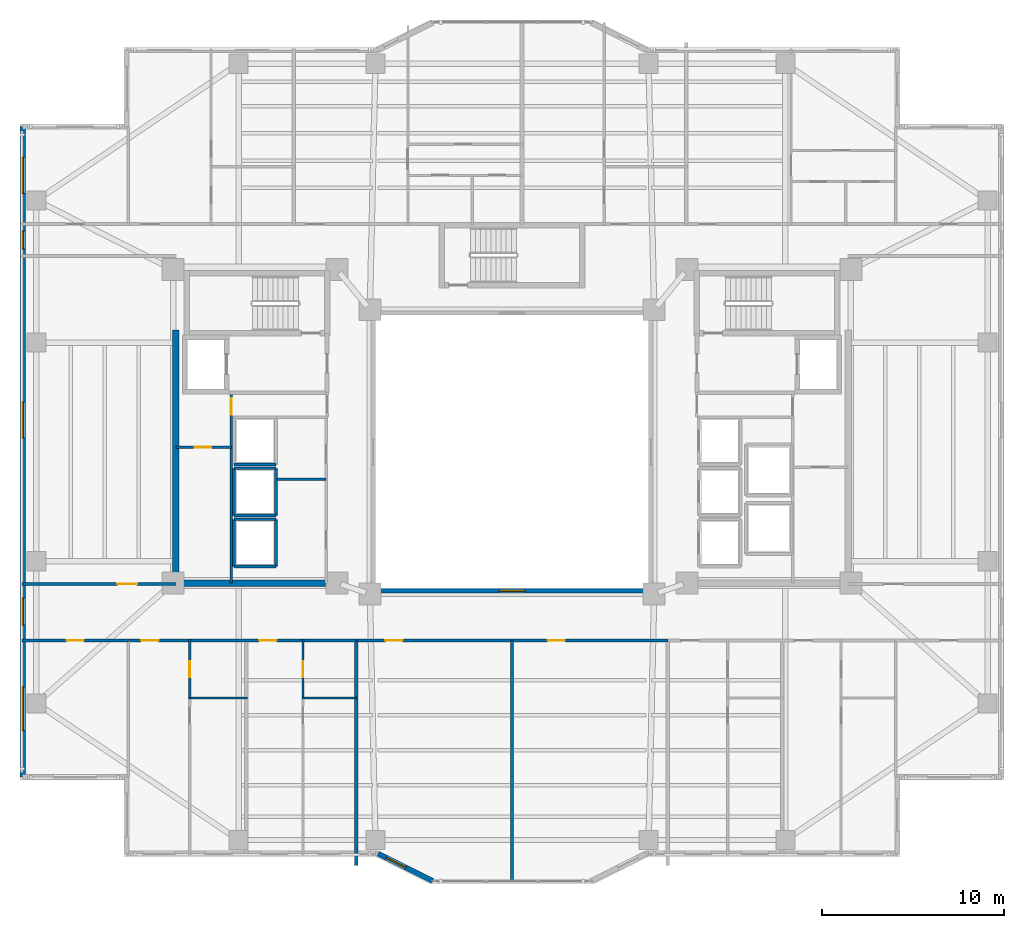
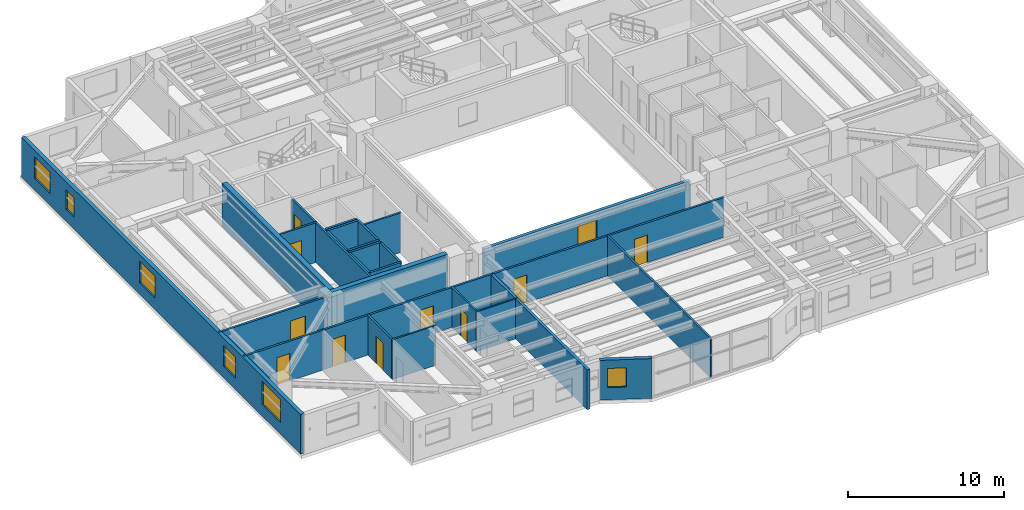
# One storey, part 6 of 18: 27 walls, 10 doors, 7 windows, 17 openings.
"""IFC4 building model written with IfcOpenShell, lengths in metres."""

import ifcopenshell
import ifcopenshell.guid

model = None  # the IFC model being written
_history = None  # IfcOwnerHistory: only IFC2X3 demands one
_inside = {}  # id of a spatial element -> (the spatial element, [elements in it])
_under = {}  # id of a project, library or spatial element -> (it, [spatial elements below it])
_declared = {}  # id of a project -> (the project, [libraries it declares])
_typed = {}  # id of a type object -> (the type object, [elements of that type])
_made_of = {}  # id of a material, layer set ... -> (it, [elements and type objects made of it])


def new_model(schema):
    """Start an empty IFC model of exactly this schema.

    Asked for "IFC4X3", IfcOpenShell would pick the latest addendum, in which some entities
    have other attributes; the version numbers below select the first issue.
    IFC2X3 requires an IfcOwnerHistory on every rooted entity: one is made here for all.
    """
    global model, _history
    if schema == "IFC4X3":
        model = ifcopenshell.file(schema_version=(4, 3, 0, 0))
    else:
        model = ifcopenshell.file(schema=schema)
    _inside.clear()
    _under.clear()
    _declared.clear()
    _typed.clear()
    _made_of.clear()
    _history = None
    if model.schema == "IFC2X3":
        org = make("IfcOrganization", Name="unknown")
        user = make(
            "IfcPersonAndOrganization",
            ThePerson=make("IfcPerson", FamilyName="unknown"),
            TheOrganization=org,
        )
        app = make(
            "IfcApplication",
            ApplicationDeveloper=org,
            Version="unknown",
            ApplicationFullName="unknown",
            ApplicationIdentifier="unknown",
        )
        _history = make(
            "IfcOwnerHistory",
            OwningUser=user,
            OwningApplication=app,
            ChangeAction="ADDED",
            CreationDate=0,
        )
    return model


def make(cls, **values):
    """One entity of the class cls with the attributes given. An attribute that is None is left unset."""
    return model.create_entity(
        cls, **{name: value for name, value in values.items() if value is not None}
    )


def rooted(cls, **values):
    """An entity with a GlobalId (a new one), such as an element, a storey or a relation."""
    return make(cls, GlobalId=ifcopenshell.guid.new(), OwnerHistory=_history, **values)


def si_unit(unit_type, name, prefix=None):
    """IfcSIUnit, for example si_unit("LENGTHUNIT", "METRE", prefix="MILLI")."""
    return make("IfcSIUnit", UnitType=unit_type, Prefix=prefix, Name=name)


def assignment(units):
    """IfcUnitAssignment: the units of a project."""
    return None if units is None else make("IfcUnitAssignment", Units=units)


def point(xyz):
    """IfcCartesianPoint."""
    return None if xyz is None else make("IfcCartesianPoint", Coordinates=xyz)


def direction(xyz):
    """IfcDirection."""
    return None if xyz is None else make("IfcDirection", DirectionRatios=xyz)


def frame(location, z_axis=None, x_axis=None):
    """IfcAxis2Placement3D, a coordinate frame: its origin and axes. An axis left out is left unset."""
    return make(
        "IfcAxis2Placement3D",
        Location=point(location),
        Axis=direction(z_axis),
        RefDirection=direction(x_axis),
    )


def frame_2d(location, x_axis=None):
    """IfcAxis2Placement2D, a coordinate frame in the plane: its origin and x axis."""
    return make(
        "IfcAxis2Placement2D", Location=point(location), RefDirection=direction(x_axis)
    )


def origin():
    """The frame at (0, 0, 0) with its axes left unset."""
    return frame((0.0, 0.0, 0.0))


def place(relative_to, where):
    """IfcLocalPlacement: puts the frame where relative to a parent placement (None: the world)."""
    return make(
        "IfcLocalPlacement", PlacementRelTo=relative_to, RelativePlacement=where
    )


def context(
    kind, dimensions, precision=None, world=None, true_north=None, identifier=None
):
    """IfcGeometricRepresentationContext, for example the 3D "Model" context."""
    return make(
        "IfcGeometricRepresentationContext",
        ContextIdentifier=identifier,
        ContextType=kind,
        CoordinateSpaceDimension=dimensions,
        Precision=precision,
        WorldCoordinateSystem=world,
        TrueNorth=true_north,
    )


def subcontext(parent, identifier, kind, view, scale=None):
    """IfcGeometricRepresentationSubContext, for example "Body" below "Model"."""
    return make(
        "IfcGeometricRepresentationSubContext",
        ContextIdentifier=identifier,
        ContextType=kind,
        ParentContext=parent,
        TargetScale=scale,
        TargetView=view,
    )


def project(units=None, contexts=None):
    """IfcProject with its units and contexts."""
    return rooted(
        "IfcProject",
        Name="project",
        RepresentationContexts=contexts,
        UnitsInContext=assignment(units),
    )


def spatial(cls, under=None, at=None, **own):
    """A site, building, storey or space (cls), placed at a placement, below another one or the project."""
    s = rooted(cls, ObjectPlacement=at, **own)
    if under is not None:
        _under.setdefault(under.id(), (under, []))[1].append(s)
    return s


def profile(cls, at=None, kind="AREA", **sizes):
    """A parametric profile (cls). Its sizes go by their IFC names, for example OverallWidth=200.0."""
    return make(cls, ProfileType=kind, Position=at, **sizes)


def rectangle(**sizes):
    """IfcRectangleProfileDef."""
    return profile("IfcRectangleProfileDef", **sizes)


def extrude(swept, where, along, depth):
    """IfcExtrudedAreaSolid: the profile swept, set in the frame where, extruded along a direction by depth."""
    return make(
        "IfcExtrudedAreaSolid",
        SweptArea=swept,
        Position=where,
        ExtrudedDirection=direction(along),
        Depth=depth,
    )


def shape(context_of_items, identifier, shape_type, items):
    """IfcShapeRepresentation: the items that make up one representation, for example the "Body"."""
    return make(
        "IfcShapeRepresentation",
        ContextOfItems=context_of_items,
        RepresentationIdentifier=identifier,
        RepresentationType=shape_type,
        Items=items,
    )


def material(Name=None, Category=None):
    """IfcMaterial."""
    return make("IfcMaterial", Name=Name, Category=Category)


def layer(
    of_material, thickness, ventilated=None, Name=None, Category=None, Priority=None
):
    """IfcMaterialLayer: one layer of a wall or slab, of a material (None: an air gap)."""
    return make(
        "IfcMaterialLayer",
        Material=of_material,
        LayerThickness=thickness,
        IsVentilated=ventilated,
        Name=Name,
        Category=Category,
        Priority=Priority,
    )


def layer_set(layers, Name=None):
    """IfcMaterialLayerSet."""
    return make("IfcMaterialLayerSet", MaterialLayers=layers, LayerSetName=Name)


def made_of(thing, what):
    """Note that an element or type object is made of a material, layer set ...; save() writes the relation."""
    if what is not None:
        _made_of.setdefault(what.id(), (what, []))[1].append(thing)
    return thing


def type_object(cls, material=None, **own):
    """A type object (cls), such as IfcWallType, which elements share."""
    return made_of(rooted(cls, **own), material)


def element(
    cls,
    number,
    at=None,
    inside=None,
    cuts=None,
    type_object=None,
    material=None,
    context=None,
    identifier="Body",
    shape_type=None,
    held_by="IfcProductDefinitionShape",
    body=None,
    shapes=None,
    **own,
):
    """One element of the class cls, such as IfcWall. Its Tag is "e" and its number.

    at: its placement. inside: the storey or other place that contains it. cuts: it is an
    opening in that element (IfcRelVoidsElement). A single representation is given by context,
    identifier, shape_type and body (its items); several are given by shapes. held_by: the class
    of the entity that holds the representations. save() writes the other relations.
    """
    e = rooted(cls, Tag="e%d" % number, ObjectPlacement=at, **own)
    if body is not None:
        shapes = [shape(context, identifier, shape_type, body)]
    if shapes is not None:
        e.Representation = make(held_by, Representations=shapes)
    if inside is not None:
        _inside.setdefault(inside.id(), (inside, []))[1].append(e)
    if cuts is not None:
        rooted(
            "IfcRelVoidsElement", RelatingBuildingElement=cuts, RelatedOpeningElement=e
        )
    if type_object is not None:
        _typed.setdefault(type_object.id(), (type_object, []))[1].append(e)
    return made_of(e, material)


def fill(opening, filler):
    """IfcRelFillsElement: the door or window that sits in an opening."""
    return rooted(
        "IfcRelFillsElement",
        RelatingOpeningElement=opening,
        RelatedBuildingElement=filler,
    )


def aggregate(whole, parts):
    """IfcRelAggregates: a whole, such as a stair, and the parts it consists of."""
    return rooted("IfcRelAggregates", RelatingObject=whole, RelatedObjects=parts)


def save(model, path):
    """Write the relations noted so far, then the file.

    IfcRelAggregates (storeys below a building ...), IfcRelContainedInSpatialStructure (elements
    in a storey), IfcRelDefinesByType, IfcRelAssociatesMaterial and IfcRelDeclares: one each for
    every whole, place, type object, material and project.
    """
    for whole, parts in _under.values():
        aggregate(whole, parts)
    for where, things in _inside.values():
        rooted(
            "IfcRelContainedInSpatialStructure",
            RelatedElements=things,
            RelatingStructure=where,
        )
    for kind, things in _typed.values():
        rooted("IfcRelDefinesByType", RelatedObjects=things, RelatingType=kind)
    for what, things in _made_of.values():
        rooted("IfcRelAssociatesMaterial", RelatedObjects=things, RelatingMaterial=what)
    for by, libraries in _declared.values():
        rooted("IfcRelDeclares", RelatingContext=by, RelatedDefinitions=libraries)
    model.write(path)


model = new_model("IFC4")

# Units and contexts
model_context = context("Model", 3, precision=1e-05, world=origin(), true_north=direction((0.0, 1.0)))
body_context = subcontext(model_context, "Body", "Model", "MODEL_VIEW")
ifc_project = project(units=[si_unit("LENGTHUNIT", "METRE"), si_unit("AREAUNIT", "SQUARE_METRE"), si_unit("VOLUMEUNIT", "CUBIC_METRE"), si_unit("PLANEANGLEUNIT", "RADIAN"), si_unit("MASSUNIT", "GRAM", prefix="KILO")], contexts=[model_context])

# Site, building, storey
site_placement = place(None, origin())
site = spatial("IfcSite", under=ifc_project, at=site_placement, CompositionType="ELEMENT")
building_placement = place(site_placement, origin())
building = spatial("IfcBuilding", under=site, at=building_placement, Name="Tarnavaz Court Tower", CompositionType="ELEMENT")
storey_placement = place(building_placement, frame((0.0, 0.0, 98.39990234375)))
storey = spatial("IfcBuildingStorey", under=building, at=storey_placement, Name="L26", CompositionType="ELEMENT", Elevation=98.39990234375)

# Walls
ifc_material_1 = material(Name="Concrete C60/75", Category="concrete")
ifc_layer_1 = layer(ifc_material_1, 0.35009765625)
ifc_layer_set_1 = layer_set([ifc_layer_1], Name="Concrete C60/75")
wall_type_1 = type_object("IfcWallType", Name="WL-CORE-350-C60", PredefinedType="SHEAR", material=ifc_layer_set_1)
wall_1_placement = place(storey_placement, frame((-18.449951171875, -7.375, 0.0), z_axis=(0.0, 0.0, 1.0), x_axis=(0.0, 1.0, 0.0)))
element("IfcWall", 1, at=wall_1_placement, inside=storey, type_object=wall_type_1, Name="L26 West Core Shear Wall 057", PredefinedType="SHEAR", context=body_context, shape_type="SweptSolid", body=[
    extrude(rectangle(XDim=14.050048828125, YDim=0.35009765625, at=frame_2d((7.02490234375, 0.0))), origin(), (0.0, 0.0, 1.0), 3.35009765625),
])
wall_2_placement = place(storey_placement, frame((-18.625, -7.199951171875, 0.0), z_axis=(0.0, 0.0, 1.0), x_axis=(1.0, 0.0, 0.0)))
element("IfcWall", 2, at=wall_2_placement, inside=storey, type_object=wall_type_1, Name="L26 West Core South Shear Wall 058", PredefinedType="SHEAR", context=body_context, shape_type="SweptSolid", body=[
    extrude(rectangle(XDim=8.550048828125, YDim=0.35009765625, at=frame_2d((4.27490234375, 0.0))), origin(), (0.0, 0.0, 1.0), 3.35009765625),
])

# Wall, openings, windows
ifc_material_2 = material(Name="Precast Concrete C40/50", Category="concrete")
ifc_layer_2 = layer(ifc_material_2, 0.280029296875)
ifc_layer_set_2 = layer_set([ifc_layer_2], Name="Precast Concrete C40/50")
wall_type_2 = type_object("IfcWallType", Name="WL-EXT-280", PredefinedType="SOLIDWALL", material=ifc_layer_set_2)
wall_3_placement = place(storey_placement, frame((-26.85009765625, -17.85009765625, 0.0), z_axis=(0.0, 0.0, 1.0), x_axis=(0.0, 1.0, 0.0)))
wall_3 = element("IfcWall", 3, at=wall_3_placement, inside=storey, type_object=wall_type_2, Name="L26 Exterior Terracotta Facade Wall 02", PredefinedType="SOLIDWALL", context=body_context, shape_type="SweptSolid", body=[
    extrude(rectangle(XDim=35.7001953125, YDim=0.280029296875, at=frame_2d((17.85009765625, 0.0))), origin(), (0.0, 0.0, 1.0), 3.10009765625),
])
opening_1_placement = place(wall_3_placement, frame((2.550048828125, 0.0, 0.89990234375)))
opening_1 = element("IfcOpeningElement", 4, at=opening_1_placement, cuts=wall_3, Name="Opening W06", PredefinedType="OPENING", context=body_context, shape_type="SweptSolid", body=[
    extrude(rectangle(XDim=2.39990234375, YDim=1.800048828125, at=frame_2d((1.199951171875, 0.89990234375))), frame((0.0, 0.14990234375, 0.0), z_axis=(0.0, -1.0, 0.0), x_axis=(1.0, 0.0, 0.0)), (0.0, 0.0, 1.0), 0.300048828125),
])
opening_2_placement = place(wall_3_placement, frame((8.342529296875, 0.0, 0.89990234375)))
opening_2 = element("IfcOpeningElement", 5, at=opening_2_placement, cuts=wall_3, Name="Opening W03", PredefinedType="OPENING", context=body_context, shape_type="SweptSolid", body=[
    extrude(rectangle(XDim=1.5, YDim=1.64990234375, at=frame_2d((0.75, 0.824951171875))), frame((0.0, 0.14990234375, 0.0), z_axis=(0.0, -1.0, 0.0), x_axis=(1.0, 0.0, 0.0)), (0.0, 0.0, 1.0), 0.300048828125),
])
opening_3_placement = place(wall_3_placement, frame((18.60009765625, 0.0, 0.89990234375)))
opening_3 = element("IfcOpeningElement", 6, at=opening_3_placement, cuts=wall_3, Name="Opening W08", PredefinedType="OPENING", context=body_context, shape_type="SweptSolid", body=[
    extrude(rectangle(XDim=2.0, YDim=1.699951171875, at=frame_2d((1.0, 0.85009765625))), frame((0.0, 0.14990234375, 0.0), z_axis=(0.0, -1.0, 0.0), x_axis=(1.0, 0.0, 0.0)), (0.0, 0.0, 1.0), 0.300048828125),
])
opening_4_placement = place(wall_3_placement, frame((28.97509765625, 0.0, 0.949951171875)))
opening_4 = element("IfcOpeningElement", 7, at=opening_4_placement, cuts=wall_3, Name="Opening W14", PredefinedType="OPENING", context=body_context, shape_type="SweptSolid", body=[
    extrude(rectangle(XDim=1.0, YDim=1.5, at=frame_2d((0.5, 0.75))), frame((0.0, 0.14990234375, 0.0), z_axis=(0.0, -1.0, 0.0), x_axis=(1.0, 0.0, 0.0)), (0.0, 0.0, 1.0), 0.300048828125),
])
opening_5_placement = place(wall_3_placement, frame((32.02490234375, 0.0, 0.89990234375)))
opening_5 = element("IfcOpeningElement", 8, at=opening_5_placement, cuts=wall_3, Name="Opening W08", PredefinedType="OPENING", context=body_context, shape_type="SweptSolid", body=[
    extrude(rectangle(XDim=2.0, YDim=1.699951171875, at=frame_2d((1.0, 0.85009765625))), frame((0.0, 0.14990234375, 0.0), z_axis=(0.0, -1.0, 0.0), x_axis=(1.0, 0.0, 0.0)), (0.0, 0.0, 1.0), 0.300048828125),
])
ifc_material_3 = material(Name="Double-Glazed Solar Low-E Glass", Category="glass")
window_type_1 = type_object("IfcWindowType", Name="WN-APT-1000", PartitioningType="SINGLE_PANEL", PredefinedType="WINDOW", material=ifc_material_3)
window_1_placement = place(opening_4_placement, origin())
window_1 = element("IfcWindow", 9, at=window_1_placement, inside=storey, type_object=window_type_1, Name="L26 North-West Corner Corridor Window", OverallHeight=1.5, OverallWidth=1.0, PartitioningType="SINGLE_PANEL", PredefinedType="WINDOW", context=body_context, shape_type="SweptSolid", body=[
    extrude(rectangle(XDim=1.0, YDim=1.5, at=frame_2d((0.5, 0.75))), frame((0.0, 0.030029296875, 0.0), z_axis=(0.0, -1.0, 0.0), x_axis=(1.0, 0.0, 0.0)), (0.0, 0.0, 1.0), 0.06005859375),
])
fill(opening_4, window_1)
window_type_2 = type_object("IfcWindowType", Name="WN-APT-1500", PartitioningType="DOUBLE_PANEL_VERTICAL", PredefinedType="WINDOW", material=ifc_material_3)
window_2_placement = place(opening_2_placement, origin())
window_2 = element("IfcWindow", 10, at=window_2_placement, inside=storey, type_object=window_type_2, Name="L26 South-West Corner Corridor Window", OverallHeight=1.64990234375, OverallWidth=1.5, PartitioningType="SINGLE_PANEL", PredefinedType="WINDOW", context=body_context, shape_type="SweptSolid", body=[
    extrude(rectangle(XDim=1.5, YDim=1.64990234375, at=frame_2d((0.75, 0.824951171875))), frame((0.0, 0.030029296875, 0.0), z_axis=(0.0, -1.0, 0.0), x_axis=(1.0, 0.0, 0.0)), (0.0, 0.0, 1.0), 0.06005859375),
])
fill(opening_2, window_2)
window_type_3 = type_object("IfcWindowType", Name="WN-APT-2000", PartitioningType="DOUBLE_PANEL_VERTICAL", PredefinedType="WINDOW", material=ifc_material_3)
window_3_placement = place(opening_3_placement, origin())
window_3 = element("IfcWindow", 11, at=window_3_placement, inside=storey, type_object=window_type_3, Name="L26 West Wing Community Meeting Lounge Window", OverallHeight=1.699951171875, OverallWidth=2.0, PartitioningType="SINGLE_PANEL", PredefinedType="WINDOW", context=body_context, shape_type="SweptSolid", body=[
    extrude(rectangle(XDim=2.0, YDim=1.699951171875, at=frame_2d((1.0, 0.85009765625))), frame((0.0, 0.030029296875, 0.0), z_axis=(0.0, -1.0, 0.0), x_axis=(1.0, 0.0, 0.0)), (0.0, 0.0, 1.0), 0.06005859375),
])
fill(opening_3, window_3)
window_4_placement = place(opening_5_placement, origin())
window_4 = element("IfcWindow", 12, at=window_4_placement, inside=storey, type_object=window_type_3, Name="L26 North-West Corner Sunroom Study Window", OverallHeight=1.699951171875, OverallWidth=2.0, PartitioningType="SINGLE_PANEL", PredefinedType="WINDOW", context=body_context, shape_type="SweptSolid", body=[
    extrude(rectangle(XDim=2.0, YDim=1.699951171875, at=frame_2d((1.0, 0.85009765625))), frame((0.0, 0.030029296875, 0.0), z_axis=(0.0, -1.0, 0.0), x_axis=(1.0, 0.0, 0.0)), (0.0, 0.0, 1.0), 0.06005859375),
])
fill(opening_5, window_4)
window_type_4 = type_object("IfcWindowType", Name="WN-APT-2400", PartitioningType="TRIPLE_PANEL_VERTICAL", PredefinedType="WINDOW", material=ifc_material_3)
window_5_placement = place(opening_1_placement, origin())
window_5 = element("IfcWindow", 13, at=window_5_placement, inside=storey, type_object=window_type_4, Name="L26 South-West Corner Reading Room Window", OverallHeight=1.800048828125, OverallWidth=2.39990234375, PartitioningType="SINGLE_PANEL", PredefinedType="WINDOW", context=body_context, shape_type="SweptSolid", body=[
    extrude(rectangle(XDim=2.39990234375, YDim=1.800048828125, at=frame_2d((1.199951171875, 0.89990234375))), frame((0.0, 0.030029296875, 0.0), z_axis=(0.0, -1.0, 0.0), x_axis=(1.0, 0.0, 0.0)), (0.0, 0.0, 1.0), 0.06005859375),
])
fill(opening_1, window_5)

# Wall, opening, window
wall_4_placement = place(storey_placement, frame((-4.35009765625, -23.550048828125, 0.0), z_axis=(0.0, 0.0, 1.0), x_axis=(-0.894427191, 0.4472135955, 0.0)))
wall_4 = element("IfcWall", 14, at=wall_4_placement, inside=storey, type_object=wall_type_2, Name="L26 Exterior Terracotta Facade Wall 18", PredefinedType="SOLIDWALL", context=body_context, shape_type="SweptSolid", body=[
    extrude(rectangle(XDim=3.35400390625, YDim=0.280029296875, at=frame_2d((1.677001953125, 0.0))), origin(), (0.0, 0.0, 1.0), 3.10009765625),
])
opening_6_placement = place(wall_4_placement, frame((1.65283203125, 0.0, 0.949951171875)))
opening_6 = element("IfcOpeningElement", 15, at=opening_6_placement, cuts=wall_4, Name="Opening W05", PredefinedType="OPENING", context=body_context, shape_type="SweptSolid", body=[
    extrude(rectangle(XDim=1.199951171875, YDim=1.5, at=frame_2d((0.60009765625, 0.75))), frame((0.0, 0.14990234375, 0.0), z_axis=(0.0, -1.0, 0.0), x_axis=(1.0, 0.0, 0.0)), (0.0, 0.0, 1.0), 0.300048828125),
])
window_type_5 = type_object("IfcWindowType", Name="WN-APT-1200", PartitioningType="SINGLE_PANEL", PredefinedType="WINDOW", material=ifc_material_3)
window_6_placement = place(opening_6_placement, origin())
window_6 = element("IfcWindow", 16, at=window_6_placement, inside=storey, type_object=window_type_5, Name="L26 South Courtyard Majlis Lounge Window", OverallHeight=1.5, OverallWidth=1.199951171875, PartitioningType="SINGLE_PANEL", PredefinedType="WINDOW", context=body_context, shape_type="SweptSolid", body=[
    extrude(rectangle(XDim=1.199951171875, YDim=1.5, at=frame_2d((0.60009765625, 0.75))), frame((0.0, 0.030029296875, 0.0), z_axis=(0.0, -1.0, 0.0), x_axis=(1.0, 0.0, 0.0)), (0.0, 0.0, 1.0), 0.06005859375),
])
fill(opening_6, window_6)

# Wall, openings, doors
ifc_material_4 = material(Name="Gypsum Fire-Board on Acoustic Metal Stud", Category="masonry")
ifc_layer_3 = layer(ifc_material_4, 0.14990234375)
ifc_layer_set_3 = layer_set([ifc_layer_3], Name="Gypsum Fire-Board on Acoustic Metal Stud")
wall_type_3 = type_object("IfcWallType", Name="WL-FIRE-150", PredefinedType="PARTITIONING", material=ifc_layer_set_3)
wall_5_placement = place(storey_placement, frame((-21.050048828125, -10.35009765625, 0.0), z_axis=(0.0, 0.0, 1.0), x_axis=(1.0, 0.0, 0.0)))
wall_5 = element("IfcWall", 17, at=wall_5_placement, inside=storey, type_object=wall_type_3, Name="L26 SW Horseshoe Wall 073", PredefinedType="PARTITIONING", context=body_context, shape_type="SweptSolid", body=[
    extrude(rectangle(XDim=12.5, YDim=0.14990234375, at=frame_2d((6.25, 0.0))), origin(), (0.0, 0.0, 1.0), 3.10009765625),
])
opening_7_placement = place(wall_5_placement, frame((0.699951171875, 0.0, 0.0)))
opening_7 = element("IfcOpeningElement", 18, at=opening_7_placement, cuts=wall_5, Name="Opening D06", PredefinedType="OPENING", context=body_context, shape_type="SweptSolid", body=[
    extrude(rectangle(XDim=0.9599609375, YDim=2.14990234375, at=frame_2d((0.47998046875, 1.074951171875))), frame((0.0, 0.0849609375, 0.0), z_axis=(0.0, -1.0, 0.0), x_axis=(1.0, 0.0, 0.0)), (0.0, 0.0, 1.0), 0.169921875),
])
opening_8_placement = place(wall_5_placement, frame((7.174072265625, 0.0, 0.0)))
opening_8 = element("IfcOpeningElement", 19, at=opening_8_placement, cuts=wall_5, Name="Opening D06", PredefinedType="OPENING", context=body_context, shape_type="SweptSolid", body=[
    extrude(rectangle(XDim=0.9599609375, YDim=2.14990234375, at=frame_2d((0.47998046875, 1.074951171875))), frame((0.0, 0.0849609375, 0.0), z_axis=(0.0, -1.0, 0.0), x_axis=(1.0, 0.0, 0.0)), (0.0, 0.0, 1.0), 0.169921875),
])
ifc_material_5 = material(Name="Fire-Rated Hardwood Timber Core", Category="wood")
door_type_1 = type_object("IfcDoorType", Name="DR-FD60-950", OperationType="NOTDEFINED", PredefinedType="DOOR", material=ifc_material_5)
door_1_placement = place(opening_7_placement, origin())
door_1 = element("IfcDoor", 20, at=door_1_placement, inside=storey, type_object=door_type_1, Name="L26 Flat 05 Entrance Door", OperationType="SINGLE_SWING_LEFT", OverallHeight=2.14990234375, OverallWidth=0.9599609375, PredefinedType="DOOR", context=body_context, shape_type="SweptSolid", body=[
    extrude(rectangle(XDim=0.9599609375, YDim=2.14990234375, at=frame_2d((0.47998046875, 1.074951171875))), frame((0.0, 0.02490234375, 0.0), z_axis=(0.0, -1.0, 0.0), x_axis=(1.0, 0.0, 0.0)), (0.0, 0.0, 1.0), 0.050048828125),
])
fill(opening_7, door_1)
door_2_placement = place(opening_8_placement, origin())
door_2 = element("IfcDoor", 21, at=door_2_placement, inside=storey, type_object=door_type_1, Name="L26 Flat 06 Entrance Door", OperationType="SINGLE_SWING_RIGHT", OverallHeight=2.14990234375, OverallWidth=0.9599609375, PredefinedType="DOOR", context=body_context, shape_type="SweptSolid", body=[
    extrude(rectangle(XDim=0.9599609375, YDim=2.14990234375, at=frame_2d((0.47998046875, 1.074951171875))), frame((0.0, 0.02490234375, 0.0), z_axis=(0.0, -1.0, 0.0), x_axis=(1.0, 0.0, 0.0)), (0.0, 0.0, 1.0), 0.050048828125),
])
fill(opening_8, door_2)

wall_6_placement = place(storey_placement, frame((-8.550048828125, -10.35009765625, 0.0), z_axis=(0.0, 0.0, 1.0), x_axis=(1.0, 0.0, 0.0)))
wall_6 = element("IfcWall", 22, at=wall_6_placement, inside=storey, type_object=wall_type_3, Name="L26 Interior Partition 110", PredefinedType="PARTITIONING", context=body_context, shape_type="SweptSolid", body=[
    extrude(rectangle(XDim=17.10009765625, YDim=0.14990234375, at=frame_2d((8.550048828125, 0.0))), origin(), (0.0, 0.0, 1.0), 3.10009765625),
])
opening_9_placement = place(wall_6_placement, frame((1.60009765625, 0.0, 0.0)))
opening_9 = element("IfcOpeningElement", 23, at=opening_9_placement, cuts=wall_6, Name="Opening D13", PredefinedType="OPENING", context=body_context, shape_type="SweptSolid", body=[
    extrude(rectangle(XDim=0.949951171875, YDim=2.14990234375, at=frame_2d((0.47509765625, 1.074951171875))), frame((0.0, 0.0849609375, 0.0), z_axis=(0.0, -1.0, 0.0), x_axis=(1.0, 0.0, 0.0)), (0.0, 0.0, 1.0), 0.169921875),
])
opening_10_placement = place(wall_6_placement, frame((10.5, 0.0, 0.0)))
opening_10 = element("IfcOpeningElement", 24, at=opening_10_placement, cuts=wall_6, Name="Opening D13", PredefinedType="OPENING", context=body_context, shape_type="SweptSolid", body=[
    extrude(rectangle(XDim=0.949951171875, YDim=2.14990234375, at=frame_2d((0.47509765625, 1.074951171875))), frame((0.0, 0.0849609375, 0.0), z_axis=(0.0, -1.0, 0.0), x_axis=(1.0, 0.0, 0.0)), (0.0, 0.0, 1.0), 0.169921875),
])
ifc_material_6 = material(Name="Engineered Oak Timber", Category="wood")
door_type_2 = type_object("IfcDoorType", Name="DR-INT-950", OperationType="NOTDEFINED", PredefinedType="DOOR", material=ifc_material_6)
door_3_placement = place(opening_9_placement, origin())
door_3 = element("IfcDoor", 25, at=door_3_placement, inside=storey, type_object=door_type_2, Name="L26 South Majlis Lounge Door", OperationType="SINGLE_SWING_LEFT", OverallHeight=2.14990234375, OverallWidth=0.949951171875, PredefinedType="DOOR", context=body_context, shape_type="SweptSolid", body=[
    extrude(rectangle(XDim=0.949951171875, YDim=2.14990234375, at=frame_2d((0.47509765625, 1.074951171875))), frame((0.0, 0.02490234375, 0.0), z_axis=(0.0, -1.0, 0.0), x_axis=(1.0, 0.0, 0.0)), (0.0, 0.0, 1.0), 0.050048828125),
])
fill(opening_9, door_3)
door_4_placement = place(opening_10_placement, origin())
door_4 = element("IfcDoor", 26, at=door_4_placement, inside=storey, type_object=door_type_2, Name="L26 South Reading Room Door", OperationType="SINGLE_SWING_RIGHT", OverallHeight=2.14990234375, OverallWidth=0.949951171875, PredefinedType="DOOR", context=body_context, shape_type="SweptSolid", body=[
    extrude(rectangle(XDim=0.949951171875, YDim=2.14990234375, at=frame_2d((0.47509765625, 1.074951171875))), frame((0.0, 0.02490234375, 0.0), z_axis=(0.0, -1.0, 0.0), x_axis=(1.0, 0.0, 0.0)), (0.0, 0.0, 1.0), 0.050048828125),
])
fill(opening_10, door_4)

# Wall, opening, door
wall_7_placement = place(storey_placement, frame((-26.8798828125, -7.25, 0.0), z_axis=(0.0, 0.0, 1.0), x_axis=(1.0, 0.0, 0.0)))
wall_7 = element("IfcWall", 27, at=wall_7_placement, inside=storey, type_object=wall_type_3, Name="L26 Interior Partition 112", PredefinedType="PARTITIONING", context=body_context, shape_type="SweptSolid", body=[
    extrude(rectangle(XDim=8.429931640625, YDim=0.14990234375, at=frame_2d((4.21484375, 0.0))), origin(), (0.0, 0.0, 1.0), 3.10009765625),
])
opening_11_placement = place(wall_7_placement, frame((5.22998046875, 0.0, 0.0)))
opening_11 = element("IfcOpeningElement", 28, at=opening_11_placement, cuts=wall_7, Name="Opening D12", PredefinedType="OPENING", context=body_context, shape_type="SweptSolid", body=[
    extrude(rectangle(XDim=1.080078125, YDim=2.14990234375, at=frame_2d((0.5400390625, 1.074951171875))), frame((0.0, 0.0849609375, 0.0), z_axis=(0.0, -1.0, 0.0), x_axis=(1.0, 0.0, 0.0)), (0.0, 0.0, 1.0), 0.169921875),
])
door_type_3 = type_object("IfcDoorType", Name="DR-INT-1100", OperationType="NOTDEFINED", PredefinedType="DOOR", material=ifc_material_6)
door_5_placement = place(opening_11_placement, origin())
door_5 = element("IfcDoor", 29, at=door_5_placement, inside=storey, type_object=door_type_3, Name="L26 West Meeting Lounge Door", OperationType="SINGLE_SWING_LEFT", OverallHeight=2.14990234375, OverallWidth=1.080078125, PredefinedType="DOOR", context=body_context, shape_type="SweptSolid", body=[
    extrude(rectangle(XDim=1.080078125, YDim=2.14990234375, at=frame_2d((0.5400390625, 1.074951171875))), frame((0.0, 0.02490234375, 0.0), z_axis=(0.0, -1.0, 0.0), x_axis=(1.0, 0.0, 0.0)), (0.0, 0.0, 1.0), 0.050048828125),
])
fill(opening_11, door_5)

wall_8_placement = place(storey_placement, frame((-26.8798828125, -10.35009765625, 0.0), z_axis=(0.0, 0.0, 1.0), x_axis=(1.0, 0.0, 0.0)))
wall_8 = element("IfcWall", 30, at=wall_8_placement, inside=storey, type_object=wall_type_3, Name="L26 Interior Partition 122", PredefinedType="PARTITIONING", context=body_context, shape_type="SweptSolid", body=[
    extrude(rectangle(XDim=5.829833984375, YDim=0.14990234375, at=frame_2d((2.9150390625, 0.0))), origin(), (0.0, 0.0, 1.0), 3.10009765625),
])
opening_12_placement = place(wall_8_placement, frame((2.43994140625, 0.0, 0.0)))
opening_12 = element("IfcOpeningElement", 31, at=opening_12_placement, cuts=wall_8, Name="Opening D13", PredefinedType="OPENING", context=body_context, shape_type="SweptSolid", body=[
    extrude(rectangle(XDim=0.949951171875, YDim=2.14990234375, at=frame_2d((0.47509765625, 1.074951171875))), frame((0.0, 0.0849609375, 0.0), z_axis=(0.0, -1.0, 0.0), x_axis=(1.0, 0.0, 0.0)), (0.0, 0.0, 1.0), 0.169921875),
])
door_6_placement = place(opening_12_placement, origin())
door_6 = element("IfcDoor", 32, at=door_6_placement, inside=storey, type_object=door_type_2, Name="L26 SW Reading Room Door", OperationType="SINGLE_SWING_LEFT", OverallHeight=2.14990234375, OverallWidth=0.949951171875, PredefinedType="DOOR", context=body_context, shape_type="SweptSolid", body=[
    extrude(rectangle(XDim=0.949951171875, YDim=2.14990234375, at=frame_2d((0.47509765625, 1.074951171875))), frame((0.0, 0.02490234375, 0.0), z_axis=(0.0, -1.0, 0.0), x_axis=(1.0, 0.0, 0.0)), (0.0, 0.0, 1.0), 0.050048828125),
])
fill(opening_12, door_6)

# Wall
ifc_material_7 = material(Name="Autoclaved Aerated Concrete Blockwork", Category="masonry")
ifc_layer_4 = layer(ifc_material_7, 0.199951171875)
ifc_layer_set_4 = layer_set([ifc_layer_4], Name="Autoclaved Aerated Concrete Blockwork")
wall_type_4 = type_object("IfcWallType", Name="WL-FIRE-200", PredefinedType="SOLIDWALL", material=ifc_layer_set_4)
wall_9_placement = place(storey_placement, frame((-8.550048828125, -22.7041015625, 0.0), z_axis=(0.0, 0.0, 1.0), x_axis=(0.0, 1.0, 0.0)))
element("IfcWall", 33, at=wall_9_placement, inside=storey, type_object=wall_type_4, Name="L26 Party Wall 108", PredefinedType="SOLIDWALL", context=body_context, shape_type="SweptSolid", body=[
    extrude(rectangle(XDim=12.35400390625, YDim=0.199951171875, at=frame_2d((6.177001953125, 0.0))), origin(), (0.0, 0.0, 1.0), 3.10009765625),
])

# Wall, opening, door
ifc_material_8 = material(Name="Moisture-Resistant Gypsum Board Partition", Category="masonry")
ifc_layer_5 = layer(ifc_material_8, 0.1201171875)
ifc_layer_set_5 = layer_set([ifc_layer_5], Name="Moisture-Resistant Gypsum Board Partition")
wall_type_5 = type_object("IfcWallType", Name="WL-PART-120", PredefinedType="PARTITIONING", material=ifc_layer_set_5)
wall_10_placement = place(storey_placement, frame((-17.68603515625, -13.510009765625, 0.0), z_axis=(0.0, 0.0, 1.0), x_axis=(0.0, 1.0, 0.0)))
wall_10 = element("IfcWall", 34, at=wall_10_placement, inside=storey, type_object=wall_type_5, Name="L26 Interior Partition 096", PredefinedType="PARTITIONING", context=body_context, shape_type="SweptSolid", body=[
    extrude(rectangle(XDim=3.219970703125, YDim=0.1201171875, at=frame_2d((1.60986328125, 0.0))), origin(), (0.0, 0.0, 1.0), 3.10009765625),
])
opening_13_placement = place(wall_10_placement, frame((1.139892578125, 0.0, 0.0)))
opening_13 = element("IfcOpeningElement", 35, at=opening_13_placement, cuts=wall_10, Name="Opening D14", PredefinedType="OPENING", context=body_context, shape_type="SweptSolid", body=[
    extrude(rectangle(XDim=0.8798828125, YDim=2.10009765625, at=frame_2d((0.43994140625, 1.050048828125))), frame((0.0, 0.070068359375, 0.0), z_axis=(0.0, -1.0, 0.0), x_axis=(1.0, 0.0, 0.0)), (0.0, 0.0, 1.0), 0.14013671875),
])
door_type_4 = type_object("IfcDoorType", Name="DR-INT-900", OperationType="NOTDEFINED", PredefinedType="DOOR", material=ifc_material_6)
door_7_placement = place(opening_13_placement, origin())
door_7 = element("IfcDoor", 36, at=door_7_placement, inside=storey, type_object=door_type_4, Name="L26 Flat 05 Bathroom Door", OperationType="SINGLE_SWING_LEFT", OverallHeight=2.10009765625, OverallWidth=0.8798828125, PredefinedType="DOOR", context=body_context, shape_type="SweptSolid", body=[
    extrude(rectangle(XDim=0.8798828125, YDim=2.10009765625, at=frame_2d((0.43994140625, 1.050048828125))), frame((0.0, 0.02490234375, 0.0), z_axis=(0.0, -1.0, 0.0), x_axis=(1.0, 0.0, 0.0)), (0.0, 0.0, 1.0), 0.050048828125),
])
fill(opening_13, door_7)

# Wall
wall_11_placement = place(storey_placement, frame((-17.74609375, -13.510009765625, 0.0), z_axis=(0.0, 0.0, 1.0), x_axis=(1.0, 0.0, 0.0)))
element("IfcWall", 37, at=wall_11_placement, inside=storey, type_object=wall_type_5, Name="L26 Interior Partition 097", PredefinedType="PARTITIONING", context=body_context, shape_type="SweptSolid", body=[
    extrude(rectangle(XDim=3.22998046875, YDim=0.1201171875, at=frame_2d((1.614990234375, 0.0))), origin(), (0.0, 0.0, 1.0), 3.10009765625),
])

# Wall, opening, door
wall_12_placement = place(storey_placement, frame((-11.470947265625, -13.510009765625, 0.0), z_axis=(0.0, 0.0, 1.0), x_axis=(0.0, 1.0, 0.0)))
wall_12 = element("IfcWall", 38, at=wall_12_placement, inside=storey, type_object=wall_type_5, Name="L26 Interior Partition 099", PredefinedType="PARTITIONING", context=body_context, shape_type="SweptSolid", body=[
    extrude(rectangle(XDim=3.219970703125, YDim=0.1201171875, at=frame_2d((1.60986328125, 0.0))), origin(), (0.0, 0.0, 1.0), 3.10009765625),
])
opening_14_placement = place(wall_12_placement, frame((1.139892578125, 0.0, 0.0)))
opening_14 = element("IfcOpeningElement", 39, at=opening_14_placement, cuts=wall_12, Name="Opening D14", PredefinedType="OPENING", context=body_context, shape_type="SweptSolid", body=[
    extrude(rectangle(XDim=0.8798828125, YDim=2.10009765625, at=frame_2d((0.43994140625, 1.050048828125))), frame((0.0, 0.070068359375, 0.0), z_axis=(0.0, -1.0, 0.0), x_axis=(1.0, 0.0, 0.0)), (0.0, 0.0, 1.0), 0.14013671875),
])
door_8_placement = place(opening_14_placement, origin())
door_8 = element("IfcDoor", 40, at=door_8_placement, inside=storey, type_object=door_type_4, Name="L26 Flat 06 Bathroom Door", OperationType="SINGLE_SWING_RIGHT", OverallHeight=2.10009765625, OverallWidth=0.8798828125, PredefinedType="DOOR", context=body_context, shape_type="SweptSolid", body=[
    extrude(rectangle(XDim=0.8798828125, YDim=2.10009765625, at=frame_2d((0.43994140625, 1.050048828125))), frame((0.0, 0.02490234375, 0.0), z_axis=(0.0, -1.0, 0.0), x_axis=(1.0, 0.0, 0.0)), (0.0, 0.0, 1.0), 0.050048828125),
])
fill(opening_14, door_8)

# Wall
wall_13_placement = place(storey_placement, frame((-11.531005859375, -13.510009765625, 0.0), z_axis=(0.0, 0.0, 1.0), x_axis=(1.0, 0.0, 0.0)))
element("IfcWall", 41, at=wall_13_placement, inside=storey, type_object=wall_type_5, Name="L26 Interior Partition 100", PredefinedType="PARTITIONING", context=body_context, shape_type="SweptSolid", body=[
    extrude(rectangle(XDim=2.990966796875, YDim=0.1201171875, at=frame_2d((1.49560546875, 0.0))), origin(), (0.0, 0.0, 1.0), 3.10009765625),
])

# Wall, opening, door
ifc_material_9 = material(Name="Gypsum Plasterboard Acoustic Partition", Category="masonry")
ifc_layer_6 = layer(ifc_material_9, 0.139892578125)
ifc_layer_set_6 = layer_set([ifc_layer_6], Name="Gypsum Plasterboard Acoustic Partition")
wall_type_6 = type_object("IfcWallType", Name="WL-PART-150", PredefinedType="PARTITIONING", material=ifc_layer_set_6)
wall_14_placement = place(storey_placement, frame((-15.39990234375, -7.199951171875, 0.0), z_axis=(0.0, 0.0, 1.0), x_axis=(0.0, 1.0, 0.0)))
wall_14 = element("IfcWall", 42, at=wall_14_placement, inside=storey, type_object=wall_type_6, Name="L26 Interior Partition 063", PredefinedType="PARTITIONING", context=body_context, shape_type="SweptSolid", body=[
    extrude(rectangle(XDim=10.449951171875, YDim=0.139892578125, at=frame_2d((5.22509765625, 0.0))), origin(), (0.0, 0.0, 1.0), 3.10009765625),
])
opening_15_placement = place(wall_14_placement, frame((9.25, 0.0, 0.0)))
opening_15 = element("IfcOpeningElement", 43, at=opening_15_placement, cuts=wall_14, Name="Opening D09", PredefinedType="OPENING", context=body_context, shape_type="SweptSolid", body=[
    extrude(rectangle(XDim=0.89990234375, YDim=2.080078125, at=frame_2d((0.449951171875, 1.0400390625))), frame((0.0, 0.079833984375, 0.0), z_axis=(0.0, -1.0, 0.0), x_axis=(1.0, 0.0, 0.0)), (0.0, 0.0, 1.0), 0.159912109375),
])
door_type_5 = type_object("IfcDoorType", Name="DR-FD30-900", OperationType="NOTDEFINED", PredefinedType="DOOR", material=ifc_material_5)
door_9_placement = place(opening_15_placement, origin())
door_9 = element("IfcDoor", 44, at=door_9_placement, inside=storey, type_object=door_type_5, Name="L26 West Data Room Door", OperationType="SINGLE_SWING_RIGHT", OverallHeight=2.080078125, OverallWidth=0.89990234375, PredefinedType="DOOR", context=body_context, shape_type="SweptSolid", body=[
    extrude(rectangle(XDim=0.89990234375, YDim=2.080078125, at=frame_2d((0.449951171875, 1.0400390625))), frame((0.0, 0.02490234375, 0.0), z_axis=(0.0, -1.0, 0.0), x_axis=(1.0, 0.0, 0.0)), (0.0, 0.0, 1.0), 0.050048828125),
])
fill(opening_15, door_9)

wall_15_placement = place(storey_placement, frame((-18.449951171875, 0.25, 0.0), z_axis=(0.0, 0.0, 1.0), x_axis=(1.0, 0.0, 0.0)))
wall_15 = element("IfcWall", 45, at=wall_15_placement, inside=storey, type_object=wall_type_6, Name="L26 Interior Partition 064", PredefinedType="PARTITIONING", context=body_context, shape_type="SweptSolid", body=[
    extrude(rectangle(XDim=3.050048828125, YDim=0.139892578125, at=frame_2d((1.52490234375, 0.0))), origin(), (0.0, 0.0, 1.0), 3.10009765625),
])
opening_16_placement = place(wall_15_placement, frame((1.050048828125, 0.0, 0.0)))
opening_16 = element("IfcOpeningElement", 46, at=opening_16_placement, cuts=wall_15, Name="Opening D09", PredefinedType="OPENING", context=body_context, shape_type="SweptSolid", body=[
    extrude(rectangle(XDim=0.89990234375, YDim=2.080078125, at=frame_2d((0.449951171875, 1.0400390625))), frame((0.0, 0.079833984375, 0.0), z_axis=(0.0, -1.0, 0.0), x_axis=(1.0, 0.0, 0.0)), (0.0, 0.0, 1.0), 0.159912109375),
])
door_10_placement = place(opening_16_placement, origin())
door_10 = element("IfcDoor", 47, at=door_10_placement, inside=storey, type_object=door_type_5, Name="L26 West Mechanical Riser Door", OperationType="SINGLE_SWING_LEFT", OverallHeight=2.080078125, OverallWidth=0.89990234375, PredefinedType="DOOR", context=body_context, shape_type="SweptSolid", body=[
    extrude(rectangle(XDim=0.89990234375, YDim=2.080078125, at=frame_2d((0.449951171875, 1.0400390625))), frame((0.0, 0.02490234375, 0.0), z_axis=(0.0, -1.0, 0.0), x_axis=(1.0, 0.0, 0.0)), (0.0, 0.0, 1.0), 0.050048828125),
])
fill(opening_16, door_10)

# Walls
wall_16_placement = place(storey_placement, frame((-12.89990234375, -1.5, 0.0), z_axis=(0.0, 0.0, 1.0), x_axis=(1.0, 0.0, 0.0)))
element("IfcWall", 48, at=wall_16_placement, inside=storey, type_object=wall_type_6, Name="L26 Interior Partition 066", PredefinedType="PARTITIONING", context=body_context, shape_type="SweptSolid", body=[
    extrude(rectangle(XDim=2.699951171875, YDim=0.139892578125, at=frame_2d((1.35009765625, 0.0))), origin(), (0.0, 0.0, 1.0), 3.10009765625),
])
wall_17_placement = place(storey_placement, frame((0.0, -23.580078125, 0.0), z_axis=(0.0, 0.0, 1.0), x_axis=(0.0, 1.0, 0.0)))
element("IfcWall", 49, at=wall_17_placement, inside=storey, type_object=wall_type_6, Name="L26 Interior Partition 111", PredefinedType="PARTITIONING", context=body_context, shape_type="SweptSolid", body=[
    extrude(rectangle(XDim=13.22998046875, YDim=0.139892578125, at=frame_2d((6.614990234375, 0.0))), origin(), (0.0, 0.0, 1.0), 3.10009765625),
])
ifc_layer_7 = layer(ifc_material_7, 0.159912109375)
ifc_layer_set_7 = layer_set([ifc_layer_7], Name="Autoclaved Aerated Concrete Blockwork")
wall_type_7 = type_object("IfcWallType", Name="WL-SHAFT-150", PredefinedType="SOLIDWALL", material=ifc_layer_set_7)
for number, where, z_axis, x_axis, name in (
    (50, (-15.25, -6.300048828125, 0.0), (0.0, 0.0, 1.0), (0.0, 1.0, 0.0), "L26 Lift PL-H1 Shaft Wall 021"),
    (51, (-12.949951171875, -6.300048828125, 0.0), (0.0, 0.0, 1.0), (0.0, 1.0, 0.0), "L26 Lift PL-H1 Shaft Wall 022"),
):
    element("IfcWall", number, at=place(storey_placement, frame(where, z_axis=z_axis, x_axis=x_axis)), inside=storey, type_object=wall_type_7, Name=name, PredefinedType="SOLIDWALL", context=body_context, shape_type="SweptSolid", body=[
        extrude(rectangle(XDim=2.60009765625, YDim=0.159912109375, at=frame_2d((1.300048828125, 0.0))), origin(), (0.0, 0.0, 1.0), 3.10009765625),
    ])
for number, where, z_axis, x_axis, name in (
    (52, (-15.25, -6.300048828125, 0.0), (0.0, 0.0, 1.0), (1.0, 0.0, 0.0), "L26 Lift PL-H1 Shaft Wall 023"),
    (53, (-15.25, -3.699951171875, 0.0), (0.0, 0.0, 1.0), (1.0, 0.0, 0.0), "L26 Lift PL-H1 Shaft Wall 024"),
):
    element("IfcWall", number, at=place(storey_placement, frame(where, z_axis=z_axis, x_axis=x_axis)), inside=storey, type_object=wall_type_7, Name=name, PredefinedType="SOLIDWALL", context=body_context, shape_type="SweptSolid", body=[
        extrude(rectangle(XDim=2.300048828125, YDim=0.159912109375, at=frame_2d((1.14990234375, 0.0))), origin(), (0.0, 0.0, 1.0), 3.10009765625),
    ])
for number, where, z_axis, x_axis, name in (
    (54, (-15.25, -3.5, 0.0), (0.0, 0.0, 1.0), (0.0, 1.0, 0.0), "L26 Lift PL-H2 Shaft Wall 025"),
    (55, (-12.949951171875, -3.5, 0.0), (0.0, 0.0, 1.0), (0.0, 1.0, 0.0), "L26 Lift PL-H2 Shaft Wall 026"),
):
    element("IfcWall", number, at=place(storey_placement, frame(where, z_axis=z_axis, x_axis=x_axis)), inside=storey, type_object=wall_type_7, Name=name, PredefinedType="SOLIDWALL", context=body_context, shape_type="SweptSolid", body=[
        extrude(rectangle(XDim=2.60009765625, YDim=0.159912109375, at=frame_2d((1.300048828125, 0.0))), origin(), (0.0, 0.0, 1.0), 3.10009765625),
    ])
for number, where, z_axis, x_axis, name in (
    (56, (-15.25, -3.5, 0.0), (0.0, 0.0, 1.0), (1.0, 0.0, 0.0), "L26 Lift PL-H2 Shaft Wall 027"),
    (57, (-15.25, -0.89990234375, 0.0), (0.0, 0.0, 1.0), (1.0, 0.0, 0.0), "L26 Lift PL-H2 Shaft Wall 028"),
    (58, (-15.25, -0.699951171875, 0.0), (0.0, 0.0, 1.0), (1.0, 0.0, 0.0), "L26 Lift PL-H3 Shaft Wall 031"),
):
    element("IfcWall", number, at=place(storey_placement, frame(where, z_axis=z_axis, x_axis=x_axis)), inside=storey, type_object=wall_type_7, Name=name, PredefinedType="SOLIDWALL", context=body_context, shape_type="SweptSolid", body=[
        extrude(rectangle(XDim=2.300048828125, YDim=0.159912109375, at=frame_2d((1.14990234375, 0.0))), origin(), (0.0, 0.0, 1.0), 3.10009765625),
    ])

# Wall, opening, window
ifc_layer_8 = layer(ifc_material_2, 0.239990234375)
ifc_layer_set_8 = layer_set([ifc_layer_8], Name="Precast Concrete C40/50")
wall_type_8 = type_object("IfcWallType", Name="WL-WELL-240", PredefinedType="SOLIDWALL", material=ifc_layer_set_8)
wall_18_placement = place(storey_placement, frame((-7.6201171875, -7.6201171875, 0.0), z_axis=(0.0, 0.0, 1.0), x_axis=(1.0, 0.0, 0.0)))
wall_18 = element("IfcWall", 59, at=wall_18_placement, inside=storey, type_object=wall_type_8, Name="L26 Badgir Light-Well Exterior Wall S", PredefinedType="SOLIDWALL", context=body_context, shape_type="SweptSolid", body=[
    extrude(rectangle(XDim=15.240234375, YDim=0.239990234375, at=frame_2d((7.6201171875, 0.0))), origin(), (0.0, 0.0, 1.0), 3.10009765625),
])
opening_17_placement = place(wall_18_placement, frame((6.919921875, 0.0, 0.949951171875)))
opening_17 = element("IfcOpeningElement", 60, at=opening_17_placement, cuts=wall_18, Name="Opening W13", PredefinedType="OPENING", context=body_context, shape_type="SweptSolid", body=[
    extrude(rectangle(XDim=1.39990234375, YDim=1.5, at=frame_2d((0.699951171875, 0.75))), frame((0.0, 0.1298828125, 0.0), z_axis=(0.0, -1.0, 0.0), x_axis=(1.0, 0.0, 0.0)), (0.0, 0.0, 1.0), 0.260009765625),
])
window_type_6 = type_object("IfcWindowType", Name="WN-WEL-1400", PartitioningType="SINGLE_PANEL", PredefinedType="WINDOW", material=ifc_material_3)
window_7_placement = place(opening_17_placement, origin())
window_7 = element("IfcWindow", 61, at=window_7_placement, inside=storey, type_object=window_type_6, Name="L26 Courtyard Gallery Window S", OverallHeight=1.5, OverallWidth=1.39990234375, PartitioningType="SINGLE_PANEL", PredefinedType="WINDOW", context=body_context, shape_type="SweptSolid", body=[
    extrude(rectangle(XDim=1.39990234375, YDim=1.5, at=frame_2d((0.699951171875, 0.75))), frame((0.0, 0.030029296875, 0.0), z_axis=(0.0, -1.0, 0.0), x_axis=(1.0, 0.0, 0.0)), (0.0, 0.0, 1.0), 0.06005859375),
])
fill(opening_17, window_7)

save(model, "model.ifc")
